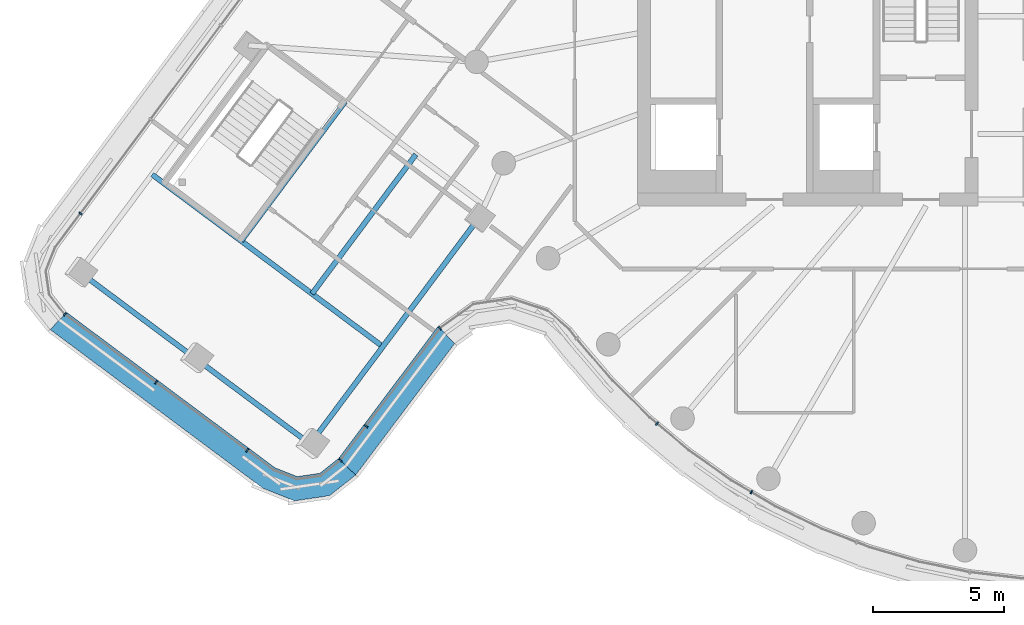
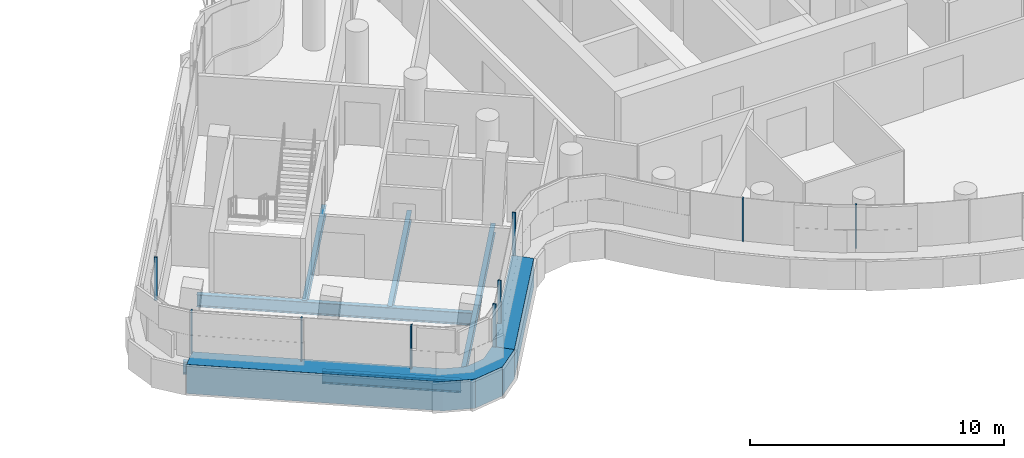
# One storey, part 2 of 27: 11 members, 6 beams, 4 elements without a shape of their own.
"""IFC4 building model written with IfcOpenShell, lengths in metres."""

import ifcopenshell
import ifcopenshell.guid

model = None  # the IFC model being written
_history = None  # IfcOwnerHistory: only IFC2X3 demands one
_inside = {}  # id of a spatial element -> (the spatial element, [elements in it])
_under = {}  # id of a project, library or spatial element -> (it, [spatial elements below it])
_declared = {}  # id of a project -> (the project, [libraries it declares])
_typed = {}  # id of a type object -> (the type object, [elements of that type])
_made_of = {}  # id of a material, layer set ... -> (it, [elements and type objects made of it])


def new_model(schema):
    """Start an empty IFC model of exactly this schema.

    Asked for "IFC4X3", IfcOpenShell would pick the latest addendum, in which some entities
    have other attributes; the version numbers below select the first issue.
    IFC2X3 requires an IfcOwnerHistory on every rooted entity: one is made here for all.
    """
    global model, _history
    if schema == "IFC4X3":
        model = ifcopenshell.file(schema_version=(4, 3, 0, 0))
    else:
        model = ifcopenshell.file(schema=schema)
    _inside.clear()
    _under.clear()
    _declared.clear()
    _typed.clear()
    _made_of.clear()
    _history = None
    if model.schema == "IFC2X3":
        org = make("IfcOrganization", Name="unknown")
        user = make(
            "IfcPersonAndOrganization",
            ThePerson=make("IfcPerson", FamilyName="unknown"),
            TheOrganization=org,
        )
        app = make(
            "IfcApplication",
            ApplicationDeveloper=org,
            Version="unknown",
            ApplicationFullName="unknown",
            ApplicationIdentifier="unknown",
        )
        _history = make(
            "IfcOwnerHistory",
            OwningUser=user,
            OwningApplication=app,
            ChangeAction="ADDED",
            CreationDate=0,
        )
    return model


def make(cls, **values):
    """One entity of the class cls with the attributes given. An attribute that is None is left unset."""
    return model.create_entity(
        cls, **{name: value for name, value in values.items() if value is not None}
    )


def rooted(cls, **values):
    """An entity with a GlobalId (a new one), such as an element, a storey or a relation."""
    return make(cls, GlobalId=ifcopenshell.guid.new(), OwnerHistory=_history, **values)


def si_unit(unit_type, name, prefix=None):
    """IfcSIUnit, for example si_unit("LENGTHUNIT", "METRE", prefix="MILLI")."""
    return make("IfcSIUnit", UnitType=unit_type, Prefix=prefix, Name=name)


def assignment(units):
    """IfcUnitAssignment: the units of a project."""
    return None if units is None else make("IfcUnitAssignment", Units=units)


def point(xyz):
    """IfcCartesianPoint."""
    return None if xyz is None else make("IfcCartesianPoint", Coordinates=xyz)


def direction(xyz):
    """IfcDirection."""
    return None if xyz is None else make("IfcDirection", DirectionRatios=xyz)


def frame(location, z_axis=None, x_axis=None):
    """IfcAxis2Placement3D, a coordinate frame: its origin and axes. An axis left out is left unset."""
    return make(
        "IfcAxis2Placement3D",
        Location=point(location),
        Axis=direction(z_axis),
        RefDirection=direction(x_axis),
    )


def frame_2d(location, x_axis=None):
    """IfcAxis2Placement2D, a coordinate frame in the plane: its origin and x axis."""
    return make(
        "IfcAxis2Placement2D", Location=point(location), RefDirection=direction(x_axis)
    )


def origin():
    """The frame at (0, 0, 0) with its axes left unset."""
    return frame((0.0, 0.0, 0.0))


def origin_2d():
    """The frame at (0, 0) in the plane with its x axis left unset."""
    return frame_2d((0.0, 0.0))


def place(relative_to, where):
    """IfcLocalPlacement: puts the frame where relative to a parent placement (None: the world)."""
    return make(
        "IfcLocalPlacement", PlacementRelTo=relative_to, RelativePlacement=where
    )


def context(
    kind, dimensions, precision=None, world=None, true_north=None, identifier=None
):
    """IfcGeometricRepresentationContext, for example the 3D "Model" context."""
    return make(
        "IfcGeometricRepresentationContext",
        ContextIdentifier=identifier,
        ContextType=kind,
        CoordinateSpaceDimension=dimensions,
        Precision=precision,
        WorldCoordinateSystem=world,
        TrueNorth=true_north,
    )


def subcontext(parent, identifier, kind, view, scale=None):
    """IfcGeometricRepresentationSubContext, for example "Body" below "Model"."""
    return make(
        "IfcGeometricRepresentationSubContext",
        ContextIdentifier=identifier,
        ContextType=kind,
        ParentContext=parent,
        TargetScale=scale,
        TargetView=view,
    )


def project(units=None, contexts=None):
    """IfcProject with its units and contexts."""
    return rooted(
        "IfcProject",
        Name="project",
        RepresentationContexts=contexts,
        UnitsInContext=assignment(units),
    )


def spatial(cls, under=None, at=None, **own):
    """A site, building, storey or space (cls), placed at a placement, below another one or the project."""
    s = rooted(cls, ObjectPlacement=at, **own)
    if under is not None:
        _under.setdefault(under.id(), (under, []))[1].append(s)
    return s


def polyline(points):
    """IfcPolyline through the points."""
    return make("IfcPolyline", Points=[point(p) for p in points])


def profile(cls, at=None, kind="AREA", **sizes):
    """A parametric profile (cls). Its sizes go by their IFC names, for example OverallWidth=200.0."""
    return make(cls, ProfileType=kind, Position=at, **sizes)


def rectangle(**sizes):
    """IfcRectangleProfileDef."""
    return profile("IfcRectangleProfileDef", **sizes)


def i_section(**sizes):
    """IfcIShapeProfileDef."""
    return profile("IfcIShapeProfileDef", **sizes)


def outline(outer, holes=None, kind="AREA"):
    """IfcArbitraryClosedProfileDef: a profile drawn as a closed curve; with holes, ...WithVoids."""
    if holes is None:
        return make("IfcArbitraryClosedProfileDef", ProfileType=kind, OuterCurve=outer)
    return make(
        "IfcArbitraryProfileDefWithVoids",
        ProfileType=kind,
        OuterCurve=outer,
        InnerCurves=holes,
    )


def extrude(swept, where, along, depth):
    """IfcExtrudedAreaSolid: the profile swept, set in the frame where, extruded along a direction by depth."""
    return make(
        "IfcExtrudedAreaSolid",
        SweptArea=swept,
        Position=where,
        ExtrudedDirection=direction(along),
        Depth=depth,
    )


def shape(context_of_items, identifier, shape_type, items):
    """IfcShapeRepresentation: the items that make up one representation, for example the "Body"."""
    return make(
        "IfcShapeRepresentation",
        ContextOfItems=context_of_items,
        RepresentationIdentifier=identifier,
        RepresentationType=shape_type,
        Items=items,
    )


def material(Name=None, Category=None):
    """IfcMaterial."""
    return make("IfcMaterial", Name=Name, Category=Category)


def layer(
    of_material, thickness, ventilated=None, Name=None, Category=None, Priority=None
):
    """IfcMaterialLayer: one layer of a wall or slab, of a material (None: an air gap)."""
    return make(
        "IfcMaterialLayer",
        Material=of_material,
        LayerThickness=thickness,
        IsVentilated=ventilated,
        Name=Name,
        Category=Category,
        Priority=Priority,
    )


def layer_set(layers, Name=None):
    """IfcMaterialLayerSet."""
    return make("IfcMaterialLayerSet", MaterialLayers=layers, LayerSetName=Name)


def material_profile(
    of_material, cross_section, Name=None, Category=None, Priority=None
):
    """IfcMaterialProfile: a cross section and its material."""
    return make(
        "IfcMaterialProfile",
        Name=Name,
        Material=of_material,
        Profile=cross_section,
        Priority=Priority,
        Category=Category,
    )


def profile_set(profiles, Name=None, composite=None):
    """IfcMaterialProfileSet."""
    return make(
        "IfcMaterialProfileSet",
        Name=Name,
        MaterialProfiles=profiles,
        CompositeProfile=composite,
    )


def made_of(thing, what):
    """Note that an element or type object is made of a material, layer set ...; save() writes the relation."""
    if what is not None:
        _made_of.setdefault(what.id(), (what, []))[1].append(thing)
    return thing


def type_object(cls, material=None, **own):
    """A type object (cls), such as IfcWallType, which elements share."""
    return made_of(rooted(cls, **own), material)


def element(
    cls,
    number,
    at=None,
    inside=None,
    cuts=None,
    type_object=None,
    material=None,
    context=None,
    identifier="Body",
    shape_type=None,
    held_by="IfcProductDefinitionShape",
    body=None,
    shapes=None,
    **own,
):
    """One element of the class cls, such as IfcWall. Its Tag is "e" and its number.

    at: its placement. inside: the storey or other place that contains it. cuts: it is an
    opening in that element (IfcRelVoidsElement). A single representation is given by context,
    identifier, shape_type and body (its items); several are given by shapes. held_by: the class
    of the entity that holds the representations. save() writes the other relations.
    """
    e = rooted(cls, Tag="e%d" % number, ObjectPlacement=at, **own)
    if body is not None:
        shapes = [shape(context, identifier, shape_type, body)]
    if shapes is not None:
        e.Representation = make(held_by, Representations=shapes)
    if inside is not None:
        _inside.setdefault(inside.id(), (inside, []))[1].append(e)
    if cuts is not None:
        rooted(
            "IfcRelVoidsElement", RelatingBuildingElement=cuts, RelatedOpeningElement=e
        )
    if type_object is not None:
        _typed.setdefault(type_object.id(), (type_object, []))[1].append(e)
    return made_of(e, material)


def aggregate(whole, parts):
    """IfcRelAggregates: a whole, such as a stair, and the parts it consists of."""
    return rooted("IfcRelAggregates", RelatingObject=whole, RelatedObjects=parts)


def save(model, path):
    """Write the relations noted so far, then the file.

    IfcRelAggregates (storeys below a building ...), IfcRelContainedInSpatialStructure (elements
    in a storey), IfcRelDefinesByType, IfcRelAssociatesMaterial and IfcRelDeclares: one each for
    every whole, place, type object, material and project.
    """
    for whole, parts in _under.values():
        aggregate(whole, parts)
    for where, things in _inside.values():
        rooted(
            "IfcRelContainedInSpatialStructure",
            RelatedElements=things,
            RelatingStructure=where,
        )
    for kind, things in _typed.values():
        rooted("IfcRelDefinesByType", RelatedObjects=things, RelatingType=kind)
    for what, things in _made_of.values():
        rooted("IfcRelAssociatesMaterial", RelatedObjects=things, RelatingMaterial=what)
    for by, libraries in _declared.values():
        rooted("IfcRelDeclares", RelatingContext=by, RelatedDefinitions=libraries)
    model.write(path)


model = new_model("IFC4")

# Units and contexts
model_context = context("Model", 3, precision=1e-05, world=origin(), true_north=direction((0.0, 1.0)))
body_context = subcontext(model_context, "Body", "Model", "MODEL_VIEW")
ifc_project = project(units=[si_unit("LENGTHUNIT", "METRE"), si_unit("AREAUNIT", "SQUARE_METRE"), si_unit("VOLUMEUNIT", "CUBIC_METRE"), si_unit("PLANEANGLEUNIT", "RADIAN"), si_unit("MASSUNIT", "GRAM", prefix="KILO")], contexts=[model_context])

# Site, building, storey
site_placement = place(None, origin())
site = spatial("IfcSite", under=ifc_project, at=site_placement, CompositionType="ELEMENT")
building_placement = place(site_placement, origin())
building = spatial("IfcBuilding", under=site, at=building_placement, Name="Tamarind Cross Interchange Tower", CompositionType="ELEMENT")
storey_placement = place(building_placement, frame((0.0, 0.0, 227.10009765625)))
storey = spatial("IfcBuildingStorey", under=building, at=storey_placement, Name="L57", CompositionType="ELEMENT", Elevation=227.10009765625)

# Beams
ifc_material_1 = material(Name="Steel Q355B", Category="steel")
ifc_material_profile_1 = material_profile(ifc_material_1, i_section(OverallWidth=0.198974609375, OverallDepth=0.446044921875, WebThickness=0.008056640625, FlangeThickness=0.011962890625, FilletRadius=0.012939453125, at=origin_2d()), Name="HN 446x199x8x12")
ifc_profile_set_1 = profile_set([ifc_material_profile_1], Name="Steel Q355B")
beam_type_1 = type_object("IfcBeamType", Name="Composite beam HN 446x199x8x12 Q355B", PredefinedType="BEAM", material=ifc_profile_set_1)
beam_1_placement = place(storey_placement, frame((-29.005126953125, -18.592529296875, -0.363037109375), z_axis=(0.597847780002, 0.801609650607, 0.0), x_axis=(-0.801609650607, 0.597847780002, 0.0)))
element("IfcBeam", 1, at=beam_1_placement, inside=storey, type_object=beam_type_1, Name="Beam W-edgeep2", PredefinedType="BEAM", context=body_context, shape_type="SweptSolid", body=[
    extrude(i_section(OverallWidth=0.198974609375, OverallDepth=0.446044921875, WebThickness=0.008056640625, FlangeThickness=0.011962890625, FilletRadius=0.012939453125, at=origin_2d()), origin(), (0.0, 0.0, 1.0), 10.7919921875),
])
beam_2_placement = place(storey_placement, frame((-27.674072265625, -5.51708984375, -0.363037109375), z_axis=(-0.597825482708, -0.80162627965, 0.0), x_axis=(0.80162627965, -0.597825482708, 0.0)))
element("IfcBeam", 2, at=beam_2_placement, inside=storey, type_object=beam_type_1, Name="Beam W-tr1", PredefinedType="BEAM", context=body_context, shape_type="SweptSolid", body=[
    extrude(i_section(OverallWidth=0.198974609375, OverallDepth=0.446044921875, WebThickness=0.008056640625, FlangeThickness=0.011962890625, FilletRadius=0.012939453125, at=origin_2d()), origin(), (0.0, 0.0, 1.0), 6.635498046875),
])
beam_3_placement = place(storey_placement, frame((-24.968505859375, -7.534912109375, -0.363037109375), z_axis=(-0.597843115867, -0.801613129141, 0.0), x_axis=(0.801613129141, -0.597843115867, 0.0)))
element("IfcBeam", 3, at=beam_3_placement, inside=storey, type_object=beam_type_1, Name="Beam W-stripp", PredefinedType="BEAM", context=body_context, shape_type="SweptSolid", body=[
    extrude(i_section(OverallWidth=0.198974609375, OverallDepth=0.446044921875, WebThickness=0.008056640625, FlangeThickness=0.011962890625, FilletRadius=0.012939453125, at=origin_2d()), origin(), (0.0, 0.0, 1.0), 6.63525390625),
])
ifc_material_profile_2 = material_profile(ifc_material_1, i_section(OverallWidth=0.198974609375, OverallDepth=0.595947265625, WebThickness=0.010009765625, FlangeThickness=0.014892578125, FilletRadius=0.012939453125, at=origin_2d()), Name="HN 596x199x10x15")
ifc_profile_set_2 = profile_set([ifc_material_profile_2], Name="Steel Q355B")
beam_type_2 = type_object("IfcBeamType", Name="Composite beam HN 596x199x10x15 Q355B", PredefinedType="BEAM", material=ifc_profile_set_2)
beam_4_placement = place(storey_placement, frame((-37.82275390625, -12.016357421875, -0.43798828125), z_axis=(0.801605840594, -0.597852888532, 0.0), x_axis=(0.597852888532, 0.801605840594, 0.0)))
element("IfcBeam", 4, at=beam_4_placement, inside=storey, type_object=beam_type_2, Name="Beam W-tip0", PredefinedType="BEAM", context=body_context, shape_type="SweptSolid", body=[
    extrude(i_section(OverallWidth=0.198974609375, OverallDepth=0.595947265625, WebThickness=0.010009765625, FlangeThickness=0.014892578125, FilletRadius=0.012939453125, at=origin_2d()), origin(), (0.0, 0.0, 1.0), 5.499755859375),
])
beam_5_placement = place(storey_placement, frame((-33.4140625, -15.304443359375, -0.43798828125), z_axis=(0.801621706201, -0.597831615212, 0.0), x_axis=(0.597831615212, 0.801621706201, 0.0)))
element("IfcBeam", 5, at=beam_5_placement, inside=storey, type_object=beam_type_2, Name="Beam W-tip1", PredefinedType="BEAM", context=body_context, shape_type="SweptSolid", body=[
    extrude(i_section(OverallWidth=0.198974609375, OverallDepth=0.595947265625, WebThickness=0.010009765625, FlangeThickness=0.014892578125, FilletRadius=0.012939453125, at=origin_2d()), origin(), (0.0, 0.0, 1.0), 5.5),
])
beam_6_placement = place(storey_placement, frame((-35.047607421875, -8.295166015625, -0.43798828125), z_axis=(0.801603136963, -0.597856513564, 0.0), x_axis=(0.597856513564, 0.801603136963, 0.0)))
element("IfcBeam", 6, at=beam_6_placement, inside=storey, type_object=beam_type_2, Name="Beam W-x364", PredefinedType="BEAM", context=body_context, shape_type="SweptSolid", body=[
    extrude(i_section(OverallWidth=0.198974609375, OverallDepth=0.595947265625, WebThickness=0.010009765625, FlangeThickness=0.014892578125, FilletRadius=0.012939453125, at=origin_2d()), origin(), (0.0, 0.0, 1.0), 11.0),
])

# Curtain wall, member
ifc_material_2 = material(Name="Aluminium 6063-T6", Category="aluminium")
ifc_layer = layer(ifc_material_2, 0.139892578125)
ifc_layer_set = layer_set([ifc_layer], Name="Aluminium 6063-T6")
curtain_wall_type = type_object("IfcCurtainWallType", Name="Hotel curtain wall, 4.5 m bays", PredefinedType="NOTDEFINED", material=ifc_layer_set)
curtain_wall_1_placement = place(storey_placement, origin())
curtain_wall_1 = element("IfcCurtainWall", 7, at=curtain_wall_1_placement, inside=storey, type_object=curtain_wall_type, Name="CWS-L57-00", PredefinedType="NOTDEFINED")
ifc_material_3 = material(Name="Aluminium and insulated spandrel panel", Category="aluminium")
member_type_1 = type_object("IfcMemberType", Name="Floor-edge blade transom", PredefinedType="USERDEFINED", material=ifc_material_3)
member_1_placement = place(storey_placement, origin())
member_1 = element("IfcMember", 8, at=member_1_placement, type_object=member_type_1, Name="CWT-L57-00", ObjectType="TRANSOM", PredefinedType="USERDEFINED", context=body_context, shape_type="SweptSolid", body=[
    extrude(outline(polyline([(-38.306640625, -13.5673828125), (-30.353759765625, -19.49853515625), (-29.50341796875, -19.83740234375), (-28.637939453125, -19.711181640625), (-27.9189453125, -19.143798828125), (-27.269775390625, -19.778076171875), (-28.26953125, -20.567138671875), (-29.6123046875, -20.7626953125), (-30.796875, -20.290771484375), (-38.939697265625, -14.218017578125), (-38.306640625, -13.5673828125)])), origin(), (0.0, 0.0, 1.0), 1.39990234375),
])

curtain_wall_2_placement = place(storey_placement, origin())
curtain_wall_2 = element("IfcCurtainWall", 9, at=curtain_wall_2_placement, inside=storey, type_object=curtain_wall_type, Name="CWS-L57-01", PredefinedType="NOTDEFINED")
member_2_placement = place(storey_placement, origin())
member_2 = element("IfcMember", 10, at=member_2_placement, type_object=member_type_1, Name="CWT-L57-01", ObjectType="TRANSOM", PredefinedType="USERDEFINED", context=body_context, shape_type="SweptSolid", body=[
    extrude(outline(polyline([(-27.9189453125, -19.143798828125), (-24.121826171875, -14.098388671875), (-23.4853515625, -14.749267578125), (-27.269775390625, -19.778076171875), (-27.9189453125, -19.143798828125)])), origin(), (0.0, 0.0, 1.0), 1.39990234375),
])

# Member
ifc_material_profile_3 = material_profile(ifc_material_2, rectangle(XDim=0.06005859375, YDim=0.139892578125, at=origin_2d()), Name="Mullion CW2")
ifc_profile_set_3 = profile_set([ifc_material_profile_3], Name="Aluminium 6063-T6")
member_type_2 = type_object("IfcMemberType", Name="Mullion CW2", PredefinedType="MULLION", material=ifc_profile_set_3)
member_3_placement = place(storey_placement, frame((-38.376953125, -13.6396484375, 1.39990234375), z_axis=(0.0, 0.0, 1.0), x_axis=(0.716725631463, -0.697355267568, 0.0)))
member_3 = element("IfcMember", 11, at=member_3_placement, type_object=member_type_2, Name="CWM-L57-00-00", PredefinedType="MULLION", context=body_context, shape_type="SweptSolid", body=[
    extrude(rectangle(XDim=0.06005859375, YDim=0.139892578125, at=origin_2d()), origin(), (0.0, 0.0, 1.0), 2.06005859375),
])

member_4_placement = place(storey_placement, frame((-34.893310546875, -16.23779296875, 1.39990234375), z_axis=(0.0, 0.0, 1.0), x_axis=(0.801617072029, -0.597837829041, 0.0)))
member_4 = element("IfcMember", 12, at=member_4_placement, type_object=member_type_2, Name="CWM-L57-00-01", PredefinedType="MULLION", context=body_context, shape_type="SweptSolid", body=[
    extrude(rectangle(XDim=0.06005859375, YDim=0.139892578125, at=origin_2d()), origin(), (0.0, 0.0, 1.0), 2.06005859375),
])

member_5_placement = place(storey_placement, frame((-31.409912109375, -18.835693359375, 1.39990234375), z_axis=(0.0, 0.0, 1.0), x_axis=(0.801617072029, -0.597837829041, 0.0)))
member_5 = element("IfcMember", 13, at=member_5_placement, type_object=member_type_2, Name="CWM-L57-00-02", PredefinedType="MULLION", context=body_context, shape_type="SweptSolid", body=[
    extrude(rectangle(XDim=0.06005859375, YDim=0.139892578125, at=origin_2d()), origin(), (0.0, 0.0, 1.0), 2.06005859375),
])

aggregate(curtain_wall_1, [member_3, member_4, member_5, member_1])

member_6_placement = place(storey_placement, frame((-27.8466796875, -19.214111328125, 1.39990234375), z_axis=(0.0, 0.0, 1.0), x_axis=(0.698911030608, 0.71520862082, 0.0)))
member_6 = element("IfcMember", 14, at=member_6_placement, type_object=member_type_2, Name="CWM-L57-01-00", PredefinedType="MULLION", context=body_context, shape_type="SweptSolid", body=[
    extrude(rectangle(XDim=0.06005859375, YDim=0.139892578125, at=origin_2d()), origin(), (0.0, 0.0, 1.0), 2.06005859375),
])

member_7_placement = place(storey_placement, frame((-26.869140625, -17.915283203125, 1.39990234375), z_axis=(0.0, 0.0, 1.0), x_axis=(0.601315923802, 0.799011363988, 0.0)))
member_7 = element("IfcMember", 15, at=member_7_placement, type_object=member_type_2, Name="CWM-L57-01-01", PredefinedType="MULLION", context=body_context, shape_type="SweptSolid", body=[
    extrude(rectangle(XDim=0.06005859375, YDim=0.139892578125, at=origin_2d()), origin(), (0.0, 0.0, 1.0), 2.06005859375),
])

aggregate(curtain_wall_2, [member_6, member_7, member_2])

# Curtain wall, members
curtain_wall_3_placement = place(storey_placement, origin())
curtain_wall_3 = element("IfcCurtainWall", 16, at=curtain_wall_3_placement, inside=storey, type_object=curtain_wall_type, Name="CWS-L57-02", PredefinedType="NOTDEFINED")
member_8_placement = place(storey_placement, frame((-24.05126953125, -14.170654296875, 1.39990234375), z_axis=(0.0, 0.0, 1.0), x_axis=(0.71481141043, 0.69931727243, 0.0)))
member_8 = element("IfcMember", 17, at=member_8_placement, type_object=member_type_2, Name="CWM-L57-02-00", PredefinedType="MULLION", context=body_context, shape_type="SweptSolid", body=[
    extrude(rectangle(XDim=0.06005859375, YDim=0.139892578125, at=origin_2d()), origin(), (0.0, 0.0, 1.0), 2.06005859375),
])
member_9_placement = place(storey_placement, frame((-15.760498046875, -17.811767578125, 1.39990234375), z_axis=(0.0, 0.0, 1.0), x_axis=(0.765858396687, -0.643009266048, 0.0)))
member_9 = element("IfcMember", 18, at=member_9_placement, type_object=member_type_2, Name="CWM-L57-02-02", PredefinedType="MULLION", context=body_context, shape_type="SweptSolid", body=[
    extrude(rectangle(XDim=0.06005859375, YDim=0.139892578125, at=origin_2d()), origin(), (0.0, 0.0, 1.0), 2.06005859375),
])
member_10_placement = place(storey_placement, frame((-12.154052734375, -20.43408203125, 1.39990234375), z_axis=(0.0, 0.0, 1.0), x_axis=(0.861248933065, -0.508183308752, 0.0)))
member_10 = element("IfcMember", 19, at=member_10_placement, type_object=member_type_2, Name="CWM-L57-02-03", PredefinedType="MULLION", context=body_context, shape_type="SweptSolid", body=[
    extrude(rectangle(XDim=0.06005859375, YDim=0.139892578125, at=origin_2d()), origin(), (0.0, 0.0, 1.0), 2.06005859375),
])
aggregate(curtain_wall_3, [member_8, member_9, member_10])

# Curtain wall, member
curtain_wall_4_placement = place(storey_placement, origin())
curtain_wall_4 = element("IfcCurtainWall", 20, at=curtain_wall_4_placement, inside=storey, type_object=curtain_wall_type, Name="CWS-L57-07", PredefinedType="NOTDEFINED")
member_11_placement = place(storey_placement, frame((-37.78076171875, -9.785400390625, 1.39990234375), z_axis=(0.0, 0.0, 1.0), x_axis=(-0.597837829041, -0.801617072029, 0.0)))
member_11 = element("IfcMember", 21, at=member_11_placement, type_object=member_type_2, Name="CWM-L57-07-04", PredefinedType="MULLION", context=body_context, shape_type="SweptSolid", body=[
    extrude(rectangle(XDim=0.06005859375, YDim=0.139892578125, at=origin_2d()), origin(), (0.0, 0.0, 1.0), 2.06005859375),
])
aggregate(curtain_wall_4, [member_11])

save(model, "model.ifc")
